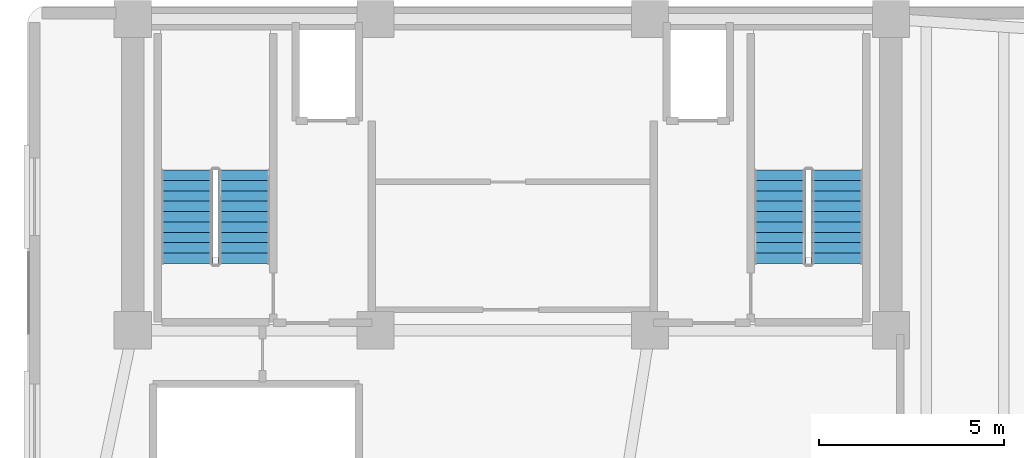
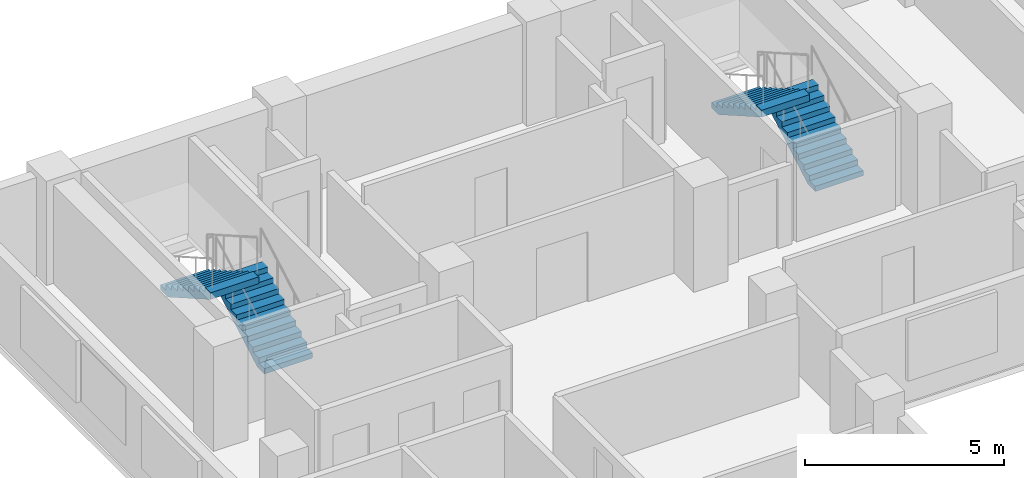
# One storey, part 5 of 7: 4 stair flights, 2 elements without a shape of their own.
"""IFC4 building model written with IfcOpenShell, lengths in metres."""

import ifcopenshell
import ifcopenshell.guid

model = None  # the IFC model being written
_history = None  # IfcOwnerHistory: only IFC2X3 demands one
_inside = {}  # id of a spatial element -> (the spatial element, [elements in it])
_under = {}  # id of a project, library or spatial element -> (it, [spatial elements below it])
_declared = {}  # id of a project -> (the project, [libraries it declares])
_typed = {}  # id of a type object -> (the type object, [elements of that type])
_made_of = {}  # id of a material, layer set ... -> (it, [elements and type objects made of it])


def new_model(schema):
    """Start an empty IFC model of exactly this schema.

    Asked for "IFC4X3", IfcOpenShell would pick the latest addendum, in which some entities
    have other attributes; the version numbers below select the first issue.
    IFC2X3 requires an IfcOwnerHistory on every rooted entity: one is made here for all.
    """
    global model, _history
    if schema == "IFC4X3":
        model = ifcopenshell.file(schema_version=(4, 3, 0, 0))
    else:
        model = ifcopenshell.file(schema=schema)
    _inside.clear()
    _under.clear()
    _declared.clear()
    _typed.clear()
    _made_of.clear()
    _history = None
    if model.schema == "IFC2X3":
        org = make("IfcOrganization", Name="unknown")
        user = make(
            "IfcPersonAndOrganization",
            ThePerson=make("IfcPerson", FamilyName="unknown"),
            TheOrganization=org,
        )
        app = make(
            "IfcApplication",
            ApplicationDeveloper=org,
            Version="unknown",
            ApplicationFullName="unknown",
            ApplicationIdentifier="unknown",
        )
        _history = make(
            "IfcOwnerHistory",
            OwningUser=user,
            OwningApplication=app,
            ChangeAction="ADDED",
            CreationDate=0,
        )
    return model


def make(cls, **values):
    """One entity of the class cls with the attributes given. An attribute that is None is left unset."""
    return model.create_entity(
        cls, **{name: value for name, value in values.items() if value is not None}
    )


def rooted(cls, **values):
    """An entity with a GlobalId (a new one), such as an element, a storey or a relation."""
    return make(cls, GlobalId=ifcopenshell.guid.new(), OwnerHistory=_history, **values)


def si_unit(unit_type, name, prefix=None):
    """IfcSIUnit, for example si_unit("LENGTHUNIT", "METRE", prefix="MILLI")."""
    return make("IfcSIUnit", UnitType=unit_type, Prefix=prefix, Name=name)


def assignment(units):
    """IfcUnitAssignment: the units of a project."""
    return None if units is None else make("IfcUnitAssignment", Units=units)


def point(xyz):
    """IfcCartesianPoint."""
    return None if xyz is None else make("IfcCartesianPoint", Coordinates=xyz)


def direction(xyz):
    """IfcDirection."""
    return None if xyz is None else make("IfcDirection", DirectionRatios=xyz)


def frame(location, z_axis=None, x_axis=None):
    """IfcAxis2Placement3D, a coordinate frame: its origin and axes. An axis left out is left unset."""
    return make(
        "IfcAxis2Placement3D",
        Location=point(location),
        Axis=direction(z_axis),
        RefDirection=direction(x_axis),
    )


def origin():
    """The frame at (0, 0, 0) with its axes left unset."""
    return frame((0.0, 0.0, 0.0))


def place(relative_to, where):
    """IfcLocalPlacement: puts the frame where relative to a parent placement (None: the world)."""
    return make(
        "IfcLocalPlacement", PlacementRelTo=relative_to, RelativePlacement=where
    )


def context(
    kind, dimensions, precision=None, world=None, true_north=None, identifier=None
):
    """IfcGeometricRepresentationContext, for example the 3D "Model" context."""
    return make(
        "IfcGeometricRepresentationContext",
        ContextIdentifier=identifier,
        ContextType=kind,
        CoordinateSpaceDimension=dimensions,
        Precision=precision,
        WorldCoordinateSystem=world,
        TrueNorth=true_north,
    )


def subcontext(parent, identifier, kind, view, scale=None):
    """IfcGeometricRepresentationSubContext, for example "Body" below "Model"."""
    return make(
        "IfcGeometricRepresentationSubContext",
        ContextIdentifier=identifier,
        ContextType=kind,
        ParentContext=parent,
        TargetScale=scale,
        TargetView=view,
    )


def project(units=None, contexts=None):
    """IfcProject with its units and contexts."""
    return rooted(
        "IfcProject",
        Name="project",
        RepresentationContexts=contexts,
        UnitsInContext=assignment(units),
    )


def spatial(cls, under=None, at=None, **own):
    """A site, building, storey or space (cls), placed at a placement, below another one or the project."""
    s = rooted(cls, ObjectPlacement=at, **own)
    if under is not None:
        _under.setdefault(under.id(), (under, []))[1].append(s)
    return s


def polyline(points):
    """IfcPolyline through the points."""
    return make("IfcPolyline", Points=[point(p) for p in points])


def outline(outer, holes=None, kind="AREA"):
    """IfcArbitraryClosedProfileDef: a profile drawn as a closed curve; with holes, ...WithVoids."""
    if holes is None:
        return make("IfcArbitraryClosedProfileDef", ProfileType=kind, OuterCurve=outer)
    return make(
        "IfcArbitraryProfileDefWithVoids",
        ProfileType=kind,
        OuterCurve=outer,
        InnerCurves=holes,
    )


def extrude(swept, where, along, depth):
    """IfcExtrudedAreaSolid: the profile swept, set in the frame where, extruded along a direction by depth."""
    return make(
        "IfcExtrudedAreaSolid",
        SweptArea=swept,
        Position=where,
        ExtrudedDirection=direction(along),
        Depth=depth,
    )


def shape(context_of_items, identifier, shape_type, items):
    """IfcShapeRepresentation: the items that make up one representation, for example the "Body"."""
    return make(
        "IfcShapeRepresentation",
        ContextOfItems=context_of_items,
        RepresentationIdentifier=identifier,
        RepresentationType=shape_type,
        Items=items,
    )


def material(Name=None, Category=None):
    """IfcMaterial."""
    return make("IfcMaterial", Name=Name, Category=Category)


def made_of(thing, what):
    """Note that an element or type object is made of a material, layer set ...; save() writes the relation."""
    if what is not None:
        _made_of.setdefault(what.id(), (what, []))[1].append(thing)
    return thing


def type_object(cls, material=None, **own):
    """A type object (cls), such as IfcWallType, which elements share."""
    return made_of(rooted(cls, **own), material)


def element(
    cls,
    number,
    at=None,
    inside=None,
    cuts=None,
    type_object=None,
    material=None,
    context=None,
    identifier="Body",
    shape_type=None,
    held_by="IfcProductDefinitionShape",
    body=None,
    shapes=None,
    **own,
):
    """One element of the class cls, such as IfcWall. Its Tag is "e" and its number.

    at: its placement. inside: the storey or other place that contains it. cuts: it is an
    opening in that element (IfcRelVoidsElement). A single representation is given by context,
    identifier, shape_type and body (its items); several are given by shapes. held_by: the class
    of the entity that holds the representations. save() writes the other relations.
    """
    e = rooted(cls, Tag="e%d" % number, ObjectPlacement=at, **own)
    if body is not None:
        shapes = [shape(context, identifier, shape_type, body)]
    if shapes is not None:
        e.Representation = make(held_by, Representations=shapes)
    if inside is not None:
        _inside.setdefault(inside.id(), (inside, []))[1].append(e)
    if cuts is not None:
        rooted(
            "IfcRelVoidsElement", RelatingBuildingElement=cuts, RelatedOpeningElement=e
        )
    if type_object is not None:
        _typed.setdefault(type_object.id(), (type_object, []))[1].append(e)
    return made_of(e, material)


def aggregate(whole, parts):
    """IfcRelAggregates: a whole, such as a stair, and the parts it consists of."""
    return rooted("IfcRelAggregates", RelatingObject=whole, RelatedObjects=parts)


def save(model, path):
    """Write the relations noted so far, then the file.

    IfcRelAggregates (storeys below a building ...), IfcRelContainedInSpatialStructure (elements
    in a storey), IfcRelDefinesByType, IfcRelAssociatesMaterial and IfcRelDeclares: one each for
    every whole, place, type object, material and project.
    """
    for whole, parts in _under.values():
        aggregate(whole, parts)
    for where, things in _inside.values():
        rooted(
            "IfcRelContainedInSpatialStructure",
            RelatedElements=things,
            RelatingStructure=where,
        )
    for kind, things in _typed.values():
        rooted("IfcRelDefinesByType", RelatedObjects=things, RelatingType=kind)
    for what, things in _made_of.values():
        rooted("IfcRelAssociatesMaterial", RelatedObjects=things, RelatingMaterial=what)
    for by, libraries in _declared.values():
        rooted("IfcRelDeclares", RelatingContext=by, RelatedDefinitions=libraries)
    model.write(path)


model = new_model("IFC4")

# Units and contexts
model_context = context("Model", 3, precision=1e-05, world=origin(), true_north=direction((0.0, 1.0)))
body_context = subcontext(model_context, "Body", "Model", "MODEL_VIEW")
ifc_project = project(units=[si_unit("LENGTHUNIT", "METRE"), si_unit("AREAUNIT", "SQUARE_METRE"), si_unit("VOLUMEUNIT", "CUBIC_METRE"), si_unit("PLANEANGLEUNIT", "RADIAN"), si_unit("MASSUNIT", "GRAM", prefix="KILO")], contexts=[model_context])

# Site, building, storey
site_placement = place(None, origin())
site = spatial("IfcSite", under=ifc_project, at=site_placement, CompositionType="ELEMENT")
building_placement = place(site_placement, origin())
building = spatial("IfcBuilding", under=site, at=building_placement, Name="Kuzgunbayir Cultural Tower", CompositionType="ELEMENT")
storey_placement = place(building_placement, frame((0.0, 0.0, 185.60009765625)))
storey = spatial("IfcBuildingStorey", under=building, at=storey_placement, Name="L54", CompositionType="ELEMENT", Elevation=185.60009765625)

# Stair, stair flights
ifc_material = material(Name="Concrete C40/50", Category="concrete")
stair_type = type_object("IfcStairType", Name="STR-EXIT-CORE", PredefinedType="HALF_TURN_STAIR", material=ifc_material)
stair_1_placement = place(storey_placement, origin())
stair_1 = element("IfcStair", 1, at=stair_1_placement, inside=storey, type_object=stair_type, Name="L54 ST-1", PredefinedType="HALF_TURN_STAIR")
stair_flight_type = type_object("IfcStairFlightType", Name="STRF-RC-140", PredefinedType="STRAIGHT", material=ifc_material)
stair_flight_1_placement = place(storey_placement, frame((9.4599609375, 35.60009765625, 0.0), z_axis=(0.0, 0.0, 1.0), x_axis=(0.0, 1.0, 0.0)))
stair_flight_1 = element("IfcStairFlight", 2, at=stair_flight_1_placement, type_object=stair_flight_type, Name="ST-1 flight 1", NumberOfRisers=10, NumberOfTreads=9, PredefinedType="STRAIGHT", RiserHeight=0.16, TreadLength=0.28, context=body_context, shape_type="SweptSolid", body=[
    extrude(outline(polyline([(0.0, 0.0), (0.0, 0.159912109375), (0.280029296875, 0.159912109375), (0.280029296875, 0.320068359375), (0.56005859375, 0.320068359375), (0.56005859375, 0.47998046875), (0.840087890625, 0.47998046875), (0.840087890625, 0.639892578125), (1.1201171875, 0.639892578125), (1.1201171875, 0.800048828125), (1.39990234375, 0.800048828125), (1.39990234375, 0.9599609375), (1.679931640625, 0.9599609375), (1.679931640625, 1.1201171875), (1.9599609375, 1.1201171875), (1.9599609375, 1.280029296875), (2.239990234375, 1.280029296875), (2.239990234375, 1.43994140625), (2.52001953125, 1.43994140625), (2.52001953125, 1.60009765625), (2.52001953125, 1.232666015625), (0.362548828125, 0.0), (0.0, 0.0)])), frame((0.0, 0.699951171875, 0.0), z_axis=(0.0, -1.0, 0.0), x_axis=(1.0, 0.0, 0.0)), (0.0, 0.0, 1.0), 1.39990234375),
])
stair_flight_2_placement = place(storey_placement, frame((7.89990234375, 38.1201171875, 1.599853515625), z_axis=(0.0, 0.0, 1.0), x_axis=(0.0, -1.0, 0.0)))
stair_flight_2 = element("IfcStairFlight", 3, at=stair_flight_2_placement, type_object=stair_flight_type, Name="ST-1 flight 2", NumberOfRisers=10, NumberOfTreads=9, PredefinedType="STRAIGHT", RiserHeight=0.16, TreadLength=0.28, context=body_context, shape_type="SweptSolid", body=[
    extrude(outline(polyline([(0.0, 0.0), (0.0, 0.159912109375), (0.280029296875, 0.159912109375), (0.280029296875, 0.320068359375), (0.56005859375, 0.320068359375), (0.56005859375, 0.47998046875), (0.840087890625, 0.47998046875), (0.840087890625, 0.639892578125), (1.1201171875, 0.639892578125), (1.1201171875, 0.800048828125), (1.39990234375, 0.800048828125), (1.39990234375, 0.9599609375), (1.679931640625, 0.9599609375), (1.679931640625, 1.1201171875), (1.9599609375, 1.1201171875), (1.9599609375, 1.280029296875), (2.239990234375, 1.280029296875), (2.239990234375, 1.43994140625), (2.52001953125, 1.43994140625), (2.52001953125, 1.60009765625), (2.52001953125, 1.232666015625), (0.362548828125, 0.0), (0.0, 0.0)])), frame((0.0, 0.699951171875, 0.0), z_axis=(0.0, -1.0, 0.0), x_axis=(1.0, 0.0, 0.0)), (0.0, 0.0, 1.0), 1.39990234375),
])
aggregate(stair_1, [stair_flight_1, stair_flight_2])

stair_2_placement = place(storey_placement, origin())
stair_2 = element("IfcStair", 4, at=stair_2_placement, inside=storey, type_object=stair_type, Name="L54 ST-2", PredefinedType="HALF_TURN_STAIR")
stair_flight_3_placement = place(storey_placement, frame((25.4599609375, 35.60009765625, 0.0), z_axis=(0.0, 0.0, 1.0), x_axis=(0.0, 1.0, 0.0)))
stair_flight_3 = element("IfcStairFlight", 5, at=stair_flight_3_placement, type_object=stair_flight_type, Name="ST-2 flight 1", NumberOfRisers=10, NumberOfTreads=9, PredefinedType="STRAIGHT", RiserHeight=0.16, TreadLength=0.28, context=body_context, shape_type="SweptSolid", body=[
    extrude(outline(polyline([(0.0, 0.0), (0.0, 0.159912109375), (0.280029296875, 0.159912109375), (0.280029296875, 0.320068359375), (0.56005859375, 0.320068359375), (0.56005859375, 0.47998046875), (0.840087890625, 0.47998046875), (0.840087890625, 0.639892578125), (1.1201171875, 0.639892578125), (1.1201171875, 0.800048828125), (1.39990234375, 0.800048828125), (1.39990234375, 0.9599609375), (1.679931640625, 0.9599609375), (1.679931640625, 1.1201171875), (1.9599609375, 1.1201171875), (1.9599609375, 1.280029296875), (2.239990234375, 1.280029296875), (2.239990234375, 1.43994140625), (2.52001953125, 1.43994140625), (2.52001953125, 1.60009765625), (2.52001953125, 1.232666015625), (0.362548828125, 0.0), (0.0, 0.0)])), frame((0.0, 0.699951171875, 0.0), z_axis=(0.0, -1.0, 0.0), x_axis=(1.0, 0.0, 0.0)), (0.0, 0.0, 1.0), 1.39990234375),
])
stair_flight_4_placement = place(storey_placement, frame((23.89990234375, 38.1201171875, 1.599853515625), z_axis=(0.0, 0.0, 1.0), x_axis=(0.0, -1.0, 0.0)))
stair_flight_4 = element("IfcStairFlight", 6, at=stair_flight_4_placement, type_object=stair_flight_type, Name="ST-2 flight 2", NumberOfRisers=10, NumberOfTreads=9, PredefinedType="STRAIGHT", RiserHeight=0.16, TreadLength=0.28, context=body_context, shape_type="SweptSolid", body=[
    extrude(outline(polyline([(0.0, 0.0), (0.0, 0.159912109375), (0.280029296875, 0.159912109375), (0.280029296875, 0.320068359375), (0.56005859375, 0.320068359375), (0.56005859375, 0.47998046875), (0.840087890625, 0.47998046875), (0.840087890625, 0.639892578125), (1.1201171875, 0.639892578125), (1.1201171875, 0.800048828125), (1.39990234375, 0.800048828125), (1.39990234375, 0.9599609375), (1.679931640625, 0.9599609375), (1.679931640625, 1.1201171875), (1.9599609375, 1.1201171875), (1.9599609375, 1.280029296875), (2.239990234375, 1.280029296875), (2.239990234375, 1.43994140625), (2.52001953125, 1.43994140625), (2.52001953125, 1.60009765625), (2.52001953125, 1.232666015625), (0.362548828125, 0.0), (0.0, 0.0)])), frame((0.0, 0.699951171875, 0.0), z_axis=(0.0, -1.0, 0.0), x_axis=(1.0, 0.0, 0.0)), (0.0, 0.0, 1.0), 1.39990234375),
])
aggregate(stair_2, [stair_flight_3, stair_flight_4])

save(model, "model.ifc")
